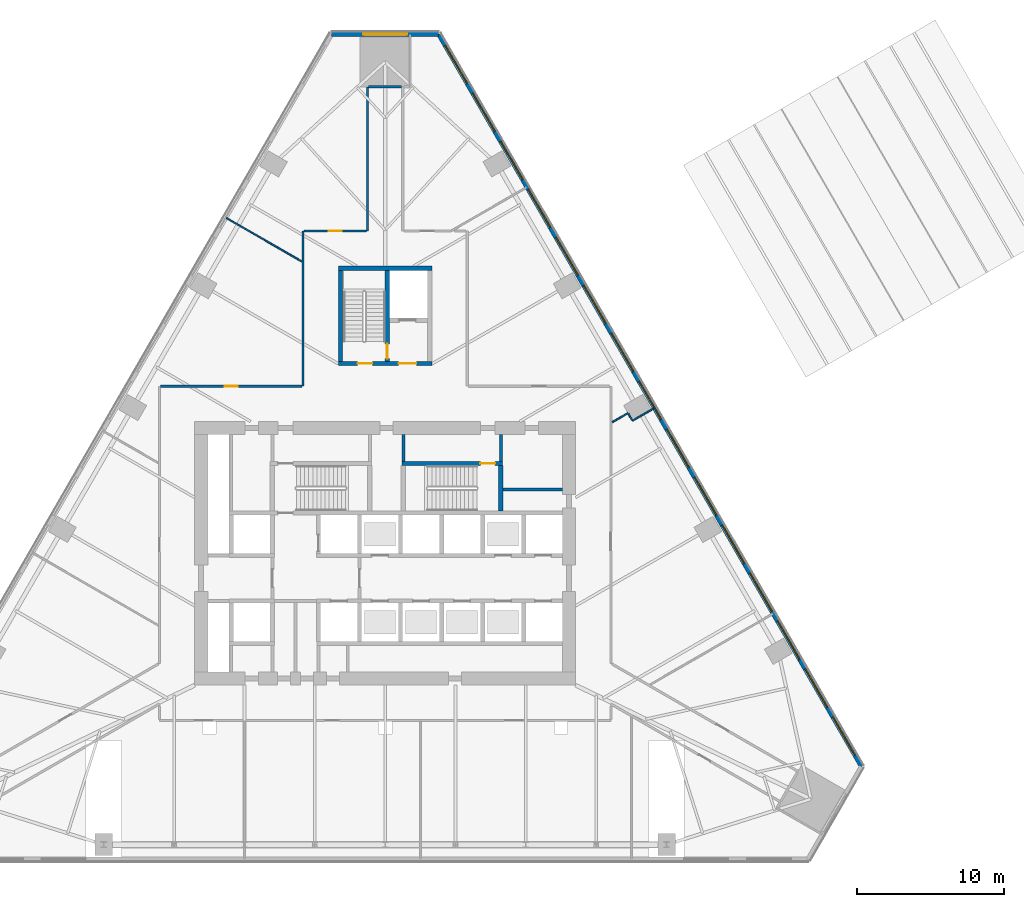
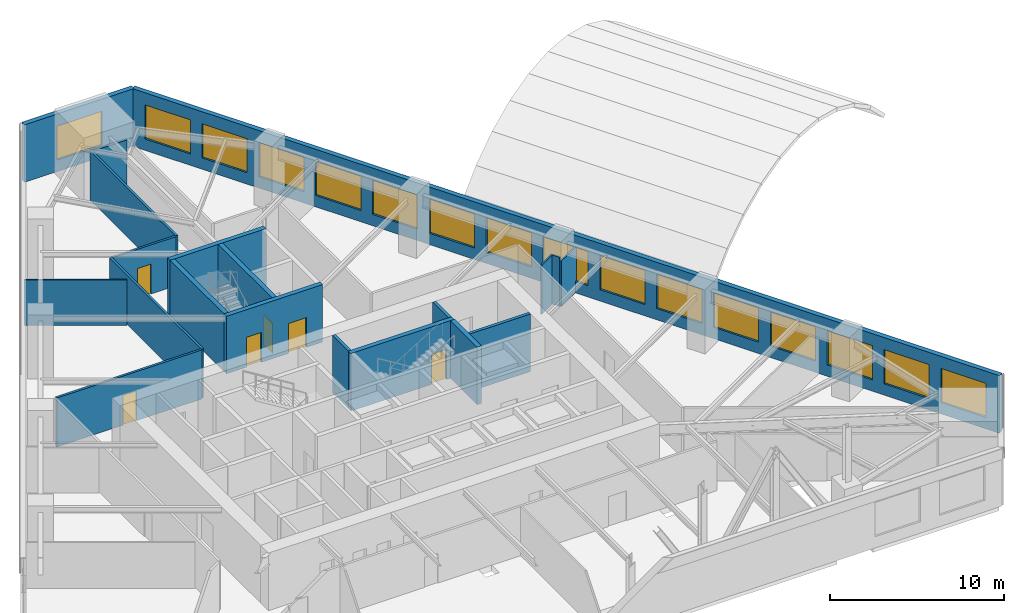
# One storey, part 8 of 11: 20 walls, 16 windows, 6 doors, 22 openings.
"""IFC4 building model written with IfcOpenShell, lengths in metres."""

import ifcopenshell
import ifcopenshell.guid

model = None  # the IFC model being written
_history = None  # IfcOwnerHistory: only IFC2X3 demands one
_inside = {}  # id of a spatial element -> (the spatial element, [elements in it])
_under = {}  # id of a project, library or spatial element -> (it, [spatial elements below it])
_declared = {}  # id of a project -> (the project, [libraries it declares])
_typed = {}  # id of a type object -> (the type object, [elements of that type])
_made_of = {}  # id of a material, layer set ... -> (it, [elements and type objects made of it])


def new_model(schema):
    """Start an empty IFC model of exactly this schema.

    Asked for "IFC4X3", IfcOpenShell would pick the latest addendum, in which some entities
    have other attributes; the version numbers below select the first issue.
    IFC2X3 requires an IfcOwnerHistory on every rooted entity: one is made here for all.
    """
    global model, _history
    if schema == "IFC4X3":
        model = ifcopenshell.file(schema_version=(4, 3, 0, 0))
    else:
        model = ifcopenshell.file(schema=schema)
    _inside.clear()
    _under.clear()
    _declared.clear()
    _typed.clear()
    _made_of.clear()
    _history = None
    if model.schema == "IFC2X3":
        org = make("IfcOrganization", Name="unknown")
        user = make(
            "IfcPersonAndOrganization",
            ThePerson=make("IfcPerson", FamilyName="unknown"),
            TheOrganization=org,
        )
        app = make(
            "IfcApplication",
            ApplicationDeveloper=org,
            Version="unknown",
            ApplicationFullName="unknown",
            ApplicationIdentifier="unknown",
        )
        _history = make(
            "IfcOwnerHistory",
            OwningUser=user,
            OwningApplication=app,
            ChangeAction="ADDED",
            CreationDate=0,
        )
    return model


def make(cls, **values):
    """One entity of the class cls with the attributes given. An attribute that is None is left unset."""
    return model.create_entity(
        cls, **{name: value for name, value in values.items() if value is not None}
    )


def rooted(cls, **values):
    """An entity with a GlobalId (a new one), such as an element, a storey or a relation."""
    return make(cls, GlobalId=ifcopenshell.guid.new(), OwnerHistory=_history, **values)


def si_unit(unit_type, name, prefix=None):
    """IfcSIUnit, for example si_unit("LENGTHUNIT", "METRE", prefix="MILLI")."""
    return make("IfcSIUnit", UnitType=unit_type, Prefix=prefix, Name=name)


def assignment(units):
    """IfcUnitAssignment: the units of a project."""
    return None if units is None else make("IfcUnitAssignment", Units=units)


def point(xyz):
    """IfcCartesianPoint."""
    return None if xyz is None else make("IfcCartesianPoint", Coordinates=xyz)


def direction(xyz):
    """IfcDirection."""
    return None if xyz is None else make("IfcDirection", DirectionRatios=xyz)


def frame(location, z_axis=None, x_axis=None):
    """IfcAxis2Placement3D, a coordinate frame: its origin and axes. An axis left out is left unset."""
    return make(
        "IfcAxis2Placement3D",
        Location=point(location),
        Axis=direction(z_axis),
        RefDirection=direction(x_axis),
    )


def frame_2d(location, x_axis=None):
    """IfcAxis2Placement2D, a coordinate frame in the plane: its origin and x axis."""
    return make(
        "IfcAxis2Placement2D", Location=point(location), RefDirection=direction(x_axis)
    )


def origin():
    """The frame at (0, 0, 0) with its axes left unset."""
    return frame((0.0, 0.0, 0.0))


def place(relative_to, where):
    """IfcLocalPlacement: puts the frame where relative to a parent placement (None: the world)."""
    return make(
        "IfcLocalPlacement", PlacementRelTo=relative_to, RelativePlacement=where
    )


def context(
    kind, dimensions, precision=None, world=None, true_north=None, identifier=None
):
    """IfcGeometricRepresentationContext, for example the 3D "Model" context."""
    return make(
        "IfcGeometricRepresentationContext",
        ContextIdentifier=identifier,
        ContextType=kind,
        CoordinateSpaceDimension=dimensions,
        Precision=precision,
        WorldCoordinateSystem=world,
        TrueNorth=true_north,
    )


def subcontext(parent, identifier, kind, view, scale=None):
    """IfcGeometricRepresentationSubContext, for example "Body" below "Model"."""
    return make(
        "IfcGeometricRepresentationSubContext",
        ContextIdentifier=identifier,
        ContextType=kind,
        ParentContext=parent,
        TargetScale=scale,
        TargetView=view,
    )


def project(units=None, contexts=None):
    """IfcProject with its units and contexts."""
    return rooted(
        "IfcProject",
        Name="project",
        RepresentationContexts=contexts,
        UnitsInContext=assignment(units),
    )


def spatial(cls, under=None, at=None, **own):
    """A site, building, storey or space (cls), placed at a placement, below another one or the project."""
    s = rooted(cls, ObjectPlacement=at, **own)
    if under is not None:
        _under.setdefault(under.id(), (under, []))[1].append(s)
    return s


def profile(cls, at=None, kind="AREA", **sizes):
    """A parametric profile (cls). Its sizes go by their IFC names, for example OverallWidth=200.0."""
    return make(cls, ProfileType=kind, Position=at, **sizes)


def rectangle(**sizes):
    """IfcRectangleProfileDef."""
    return profile("IfcRectangleProfileDef", **sizes)


def extrude(swept, where, along, depth):
    """IfcExtrudedAreaSolid: the profile swept, set in the frame where, extruded along a direction by depth."""
    return make(
        "IfcExtrudedAreaSolid",
        SweptArea=swept,
        Position=where,
        ExtrudedDirection=direction(along),
        Depth=depth,
    )


def shape(context_of_items, identifier, shape_type, items):
    """IfcShapeRepresentation: the items that make up one representation, for example the "Body"."""
    return make(
        "IfcShapeRepresentation",
        ContextOfItems=context_of_items,
        RepresentationIdentifier=identifier,
        RepresentationType=shape_type,
        Items=items,
    )


def material(Name=None, Category=None):
    """IfcMaterial."""
    return make("IfcMaterial", Name=Name, Category=Category)


def layer(
    of_material, thickness, ventilated=None, Name=None, Category=None, Priority=None
):
    """IfcMaterialLayer: one layer of a wall or slab, of a material (None: an air gap)."""
    return make(
        "IfcMaterialLayer",
        Material=of_material,
        LayerThickness=thickness,
        IsVentilated=ventilated,
        Name=Name,
        Category=Category,
        Priority=Priority,
    )


def layer_set(layers, Name=None):
    """IfcMaterialLayerSet."""
    return make("IfcMaterialLayerSet", MaterialLayers=layers, LayerSetName=Name)


def made_of(thing, what):
    """Note that an element or type object is made of a material, layer set ...; save() writes the relation."""
    if what is not None:
        _made_of.setdefault(what.id(), (what, []))[1].append(thing)
    return thing


def type_object(cls, material=None, **own):
    """A type object (cls), such as IfcWallType, which elements share."""
    return made_of(rooted(cls, **own), material)


def element(
    cls,
    number,
    at=None,
    inside=None,
    cuts=None,
    type_object=None,
    material=None,
    context=None,
    identifier="Body",
    shape_type=None,
    held_by="IfcProductDefinitionShape",
    body=None,
    shapes=None,
    **own,
):
    """One element of the class cls, such as IfcWall. Its Tag is "e" and its number.

    at: its placement. inside: the storey or other place that contains it. cuts: it is an
    opening in that element (IfcRelVoidsElement). A single representation is given by context,
    identifier, shape_type and body (its items); several are given by shapes. held_by: the class
    of the entity that holds the representations. save() writes the other relations.
    """
    e = rooted(cls, Tag="e%d" % number, ObjectPlacement=at, **own)
    if body is not None:
        shapes = [shape(context, identifier, shape_type, body)]
    if shapes is not None:
        e.Representation = make(held_by, Representations=shapes)
    if inside is not None:
        _inside.setdefault(inside.id(), (inside, []))[1].append(e)
    if cuts is not None:
        rooted(
            "IfcRelVoidsElement", RelatingBuildingElement=cuts, RelatedOpeningElement=e
        )
    if type_object is not None:
        _typed.setdefault(type_object.id(), (type_object, []))[1].append(e)
    return made_of(e, material)


def fill(opening, filler):
    """IfcRelFillsElement: the door or window that sits in an opening."""
    return rooted(
        "IfcRelFillsElement",
        RelatingOpeningElement=opening,
        RelatedBuildingElement=filler,
    )


def aggregate(whole, parts):
    """IfcRelAggregates: a whole, such as a stair, and the parts it consists of."""
    return rooted("IfcRelAggregates", RelatingObject=whole, RelatedObjects=parts)


def save(model, path):
    """Write the relations noted so far, then the file.

    IfcRelAggregates (storeys below a building ...), IfcRelContainedInSpatialStructure (elements
    in a storey), IfcRelDefinesByType, IfcRelAssociatesMaterial and IfcRelDeclares: one each for
    every whole, place, type object, material and project.
    """
    for whole, parts in _under.values():
        aggregate(whole, parts)
    for where, things in _inside.values():
        rooted(
            "IfcRelContainedInSpatialStructure",
            RelatedElements=things,
            RelatingStructure=where,
        )
    for kind, things in _typed.values():
        rooted("IfcRelDefinesByType", RelatedObjects=things, RelatingType=kind)
    for what, things in _made_of.values():
        rooted("IfcRelAssociatesMaterial", RelatedObjects=things, RelatingMaterial=what)
    for by, libraries in _declared.values():
        rooted("IfcRelDeclares", RelatingContext=by, RelatedDefinitions=libraries)
    model.write(path)


model = new_model("IFC4")

# Units and contexts
model_context = context("Model", 3, precision=1e-05, world=origin(), true_north=direction((0.0, 1.0)))
body_context = subcontext(model_context, "Body", "Model", "MODEL_VIEW")
ifc_project = project(units=[si_unit("LENGTHUNIT", "METRE"), si_unit("AREAUNIT", "SQUARE_METRE"), si_unit("VOLUMEUNIT", "CUBIC_METRE"), si_unit("PLANEANGLEUNIT", "RADIAN"), si_unit("MASSUNIT", "GRAM", prefix="KILO")], contexts=[model_context])

# Site, building, storey
site_placement = place(None, origin())
site = spatial("IfcSite", under=ifc_project, at=site_placement, CompositionType="ELEMENT")
building_placement = place(site_placement, origin())
building = spatial("IfcBuilding", under=site, at=building_placement, Name="Firuza Gate Tower and Library", CompositionType="ELEMENT")
storey_placement = place(building_placement, frame((0.0, 0.0, 31.0)))
storey = spatial("IfcBuildingStorey", under=building, at=storey_placement, Name="L06", CompositionType="ELEMENT", Elevation=31.0)

# Walls
ifc_material_1 = material(Name="Plasterboard on steel studs", Category="steel")
ifc_layer_1 = layer(ifc_material_1, 0.199951171875)
ifc_layer_set_1 = layer_set([ifc_layer_1], Name="Core partition 200 EI 120")
wall_type_1 = type_object("IfcWallType", Name="Core partition 200 EI 120", PredefinedType="PARTITIONING", material=ifc_layer_set_1)
wall_1_placement = place(storey_placement, frame((83.050048828125, 79.35498046875, 0.0), z_axis=(0.0, 0.0, 1.0), x_axis=(1.0, 0.0, 0.0)))
element("IfcWall", 1, at=wall_1_placement, inside=storey, type_object=wall_type_1, Name="Core partition L06 4", PredefinedType="PARTITIONING", context=body_context, shape_type="SweptSolid", body=[
    extrude(rectangle(XDim=4.050048828125, YDim=0.199951171875, at=frame_2d((2.02490234375, 0.0))), origin(), (0.0, 0.0, 1.0), 4.050048828125),
])
for number, where, z_axis, x_axis, name in (
    (2, (76.239990234375, 81.280029296875, 0.0), (0.0, 0.0, 1.0), (0.0, 1.0, 0.0), "Core partition L06 15"),
    (3, (82.89990234375, 81.280029296875, 0.0), (0.0, 0.0, 1.0), (0.0, 1.0, 0.0), "Core partition L06 16"),
):
    element("IfcWall", number, at=place(storey_placement, frame(where, z_axis=z_axis, x_axis=x_axis)), inside=storey, type_object=wall_type_1, Name=name, PredefinedType="PARTITIONING", context=body_context, shape_type="SweptSolid", body=[
        extrude(rectangle(XDim=1.820068359375, YDim=0.199951171875, at=frame_2d((0.91015625, 0.0))), origin(), (0.0, 0.0, 1.0), 4.050048828125),
    ])

# Wall, opening, door
ifc_material_2 = material(Name="Concrete C80/95", Category="concrete")
ifc_layer_2 = layer(ifc_material_2, 0.300048828125)
ifc_layer_set_2 = layer_set([ifc_layer_2], Name="Core wall 300 C80/95")
wall_type_2 = type_object("IfcWallType", Name="Core wall 300 C80/95", PredefinedType="SHEAR", material=ifc_layer_set_2)
wall_2_placement = place(storey_placement, frame((76.139892578125, 81.1298828125, 0.0), z_axis=(0.0, 0.0, 1.0), x_axis=(1.0, 0.0, 0.0)))
wall_2 = element("IfcWall", 4, at=wall_2_placement, inside=storey, type_object=wall_type_2, Name="Core wall L06 29", PredefinedType="SHEAR", context=body_context, shape_type="SweptSolid", body=[
    extrude(rectangle(XDim=6.860107421875, YDim=0.300048828125, at=frame_2d((3.43017578125, 0.0))), origin(), (0.0, 0.0, 1.0), 4.050048828125),
])
opening_1_placement = place(wall_2_placement, frame((5.364990234375, 0.0, 0.0)))
opening_1 = element("IfcOpeningElement", 5, at=opening_1_placement, cuts=wall_2, Name="Opening L06-K15", PredefinedType="OPENING", context=body_context, shape_type="SweptSolid", body=[
    extrude(rectangle(XDim=1.0, YDim=2.10009765625, at=frame_2d((0.5, 1.050048828125))), frame((0.0, 0.16015625, 0.0), z_axis=(0.0, -1.0, 0.0), x_axis=(1.0, 0.0, 0.0)), (0.0, 0.0, 1.0), 0.320068359375),
])
ifc_material_3 = material(Name="Steel", Category="steel")
door_type_1 = type_object("IfcDoorType", Name="Fire door 1000x2100 FD90", OperationType="NOTDEFINED", PredefinedType="DOOR", material=ifc_material_3)
door_1_placement = place(opening_1_placement, origin())
door_1 = element("IfcDoor", 6, at=door_1_placement, inside=storey, type_object=door_type_1, Name="Door L06-K15", OperationType="SINGLE_SWING_RIGHT", OverallHeight=2.10009765625, OverallWidth=1.0, PredefinedType="DOOR", context=body_context, shape_type="SweptSolid", body=[
    extrude(rectangle(XDim=1.0, YDim=2.10009765625, at=frame_2d((0.5, 1.050048828125))), frame((0.0, 0.02490234375, 0.0), z_axis=(0.0, -1.0, 0.0), x_axis=(1.0, 0.0, 0.0)), (0.0, 0.0, 1.0), 0.050048828125),
])
fill(opening_1, door_1)

# Wall
wall_3_placement = place(storey_placement, frame((82.89990234375, 77.89990234375, 0.0), z_axis=(0.0, 0.0, 1.0), x_axis=(0.0, 1.0, 0.0)))
element("IfcWall", 7, at=wall_3_placement, inside=storey, type_object=wall_type_2, Name="Core wall L06 33", PredefinedType="SHEAR", context=body_context, shape_type="SweptSolid", body=[
    extrude(rectangle(XDim=3.080078125, YDim=0.300048828125, at=frame_2d((1.5400390625, 0.0))), origin(), (0.0, 0.0, 1.0), 4.050048828125),
])

# Wall, openings, doors
wall_4_placement = place(storey_placement, frame((71.800048828125, 87.949951171875, 0.0), z_axis=(0.0, 0.0, 1.0), x_axis=(1.0, 0.0, 0.0)))
wall_4 = element("IfcWall", 8, at=wall_4_placement, inside=storey, type_object=wall_type_2, Name="Core wall L06 34", PredefinedType="SHEAR", context=body_context, shape_type="SweptSolid", body=[
    extrude(rectangle(XDim=6.39990234375, YDim=0.300048828125, at=frame_2d((3.199951171875, 0.0))), origin(), (0.0, 0.0, 1.0), 4.050048828125),
])
opening_2_placement = place(wall_4_placement, frame((1.324951171875, 0.0, 0.0)))
opening_2 = element("IfcOpeningElement", 9, at=opening_2_placement, cuts=wall_4, Name="Opening L06-K17", PredefinedType="OPENING", context=body_context, shape_type="SweptSolid", body=[
    extrude(rectangle(XDim=1.0, YDim=2.10009765625, at=frame_2d((0.5, 1.050048828125))), frame((0.0, 0.16015625, 0.0), z_axis=(0.0, -1.0, 0.0), x_axis=(1.0, 0.0, 0.0)), (0.0, 0.0, 1.0), 0.320068359375),
])
opening_3_placement = place(wall_4_placement, frame((4.125, 0.0, 0.0)))
opening_3 = element("IfcOpeningElement", 10, at=opening_3_placement, cuts=wall_4, Name="Opening L06-K19", PredefinedType="OPENING", context=body_context, shape_type="SweptSolid", body=[
    extrude(rectangle(XDim=1.199951171875, YDim=2.10009765625, at=frame_2d((0.60009765625, 1.050048828125))), frame((0.0, 0.16015625, 0.0), z_axis=(0.0, -1.0, 0.0), x_axis=(1.0, 0.0, 0.0)), (0.0, 0.0, 1.0), 0.320068359375),
])
door_2_placement = place(opening_2_placement, origin())
door_2 = element("IfcDoor", 11, at=door_2_placement, inside=storey, type_object=door_type_1, Name="Door L06-K17", OperationType="SINGLE_SWING_RIGHT", OverallHeight=2.10009765625, OverallWidth=1.0, PredefinedType="DOOR", context=body_context, shape_type="SweptSolid", body=[
    extrude(rectangle(XDim=1.0, YDim=2.10009765625, at=frame_2d((0.5, 1.050048828125))), frame((0.0, 0.02490234375, 0.0), z_axis=(0.0, -1.0, 0.0), x_axis=(1.0, 0.0, 0.0)), (0.0, 0.0, 1.0), 0.050048828125),
])
fill(opening_2, door_2)
ifc_material_4 = material(Name="Steel", Category="steel")
door_type_2 = type_object("IfcDoorType", Name="Fire door 1200x2100 FD30S", OperationType="NOTDEFINED", PredefinedType="DOOR", material=ifc_material_4)
door_3_placement = place(opening_3_placement, origin())
door_3 = element("IfcDoor", 12, at=door_3_placement, inside=storey, type_object=door_type_2, Name="Door L06-K19", OperationType="SINGLE_SWING_RIGHT", OverallHeight=2.10009765625, OverallWidth=1.199951171875, PredefinedType="DOOR", context=body_context, shape_type="SweptSolid", body=[
    extrude(rectangle(XDim=1.199951171875, YDim=2.10009765625, at=frame_2d((0.60009765625, 1.050048828125))), frame((0.0, 0.02490234375, 0.0), z_axis=(0.0, -1.0, 0.0), x_axis=(1.0, 0.0, 0.0)), (0.0, 0.0, 1.0), 0.050048828125),
])
fill(opening_3, door_3)

# Walls
wall_5_placement = place(storey_placement, frame((71.800048828125, 94.449951171875, 0.0), z_axis=(0.0, 0.0, 1.0), x_axis=(1.0, 0.0, 0.0)))
element("IfcWall", 13, at=wall_5_placement, inside=storey, type_object=wall_type_2, Name="Core wall L06 35", PredefinedType="SHEAR", context=body_context, shape_type="SweptSolid", body=[
    extrude(rectangle(XDim=6.39990234375, YDim=0.300048828125, at=frame_2d((3.199951171875, 0.0))), origin(), (0.0, 0.0, 1.0), 4.050048828125),
])
wall_6_placement = place(storey_placement, frame((71.949951171875, 88.10009765625, 0.0), z_axis=(0.0, 0.0, 1.0), x_axis=(0.0, 1.0, 0.0)))
element("IfcWall", 14, at=wall_6_placement, inside=storey, type_object=wall_type_2, Name="Core wall L06 36", PredefinedType="SHEAR", context=body_context, shape_type="SweptSolid", body=[
    extrude(rectangle(XDim=6.199951171875, YDim=0.300048828125, at=frame_2d((3.10009765625, 0.0))), origin(), (0.0, 0.0, 1.0), 4.050048828125),
])

# Wall, opening, door
wall_7_placement = place(storey_placement, frame((75.14990234375, 88.10009765625, 0.0), z_axis=(0.0, 0.0, 1.0), x_axis=(0.0, 1.0, 0.0)))
wall_7 = element("IfcWall", 15, at=wall_7_placement, inside=storey, type_object=wall_type_2, Name="Core wall L06 39", PredefinedType="SHEAR", context=body_context, shape_type="SweptSolid", body=[
    extrude(rectangle(XDim=6.199951171875, YDim=0.300048828125, at=frame_2d((3.10009765625, 0.0))), origin(), (0.0, 0.0, 1.0), 4.050048828125),
])
opening_4_placement = place(wall_7_placement, frame((0.18505859375, 0.0, 0.0)))
opening_4 = element("IfcOpeningElement", 16, at=opening_4_placement, cuts=wall_7, Name="Opening L06-K18", PredefinedType="OPENING", context=body_context, shape_type="SweptSolid", body=[
    extrude(rectangle(XDim=1.0, YDim=2.10009765625, at=frame_2d((0.5, 1.050048828125))), frame((0.0, 0.16015625, 0.0), z_axis=(0.0, -1.0, 0.0), x_axis=(1.0, 0.0, 0.0)), (0.0, 0.0, 1.0), 0.320068359375),
])
door_4_placement = place(opening_4_placement, origin())
door_4 = element("IfcDoor", 17, at=door_4_placement, inside=storey, type_object=door_type_1, Name="Door L06-K18", OperationType="SINGLE_SWING_LEFT", OverallHeight=2.10009765625, OverallWidth=1.0, PredefinedType="DOOR", context=body_context, shape_type="SweptSolid", body=[
    extrude(rectangle(XDim=1.0, YDim=2.10009765625, at=frame_2d((0.5, 1.050048828125))), frame((0.0, 0.02490234375, 0.0), z_axis=(0.0, -1.0, 0.0), x_axis=(1.0, 0.0, 0.0)), (0.0, 0.0, 1.0), 0.050048828125),
])
fill(opening_4, door_4)

ifc_material_5 = material(Name="Gypsum board partition")
ifc_layer_3 = layer(ifc_material_5, 0.14990234375)
ifc_layer_set_3 = layer_set([ifc_layer_3], Name="Corridor wall 150 double board on steel studs")
wall_type_3 = type_object("IfcWallType", Name="Corridor wall 150 double board on steel studs", PredefinedType="PARTITIONING", material=ifc_layer_set_3)
wall_8_placement = place(storey_placement, frame((59.675537109375, 86.39990234375, 0.0), z_axis=(0.0, 0.0, 1.0), x_axis=(1.0, 0.0, 0.0)))
wall_8 = element("IfcWall", 18, at=wall_8_placement, inside=storey, type_object=wall_type_3, Name="f:L06:w001", PredefinedType="PARTITIONING", context=body_context, shape_type="SweptSolid", body=[
    extrude(rectangle(XDim=9.6494140625, YDim=0.14990234375, at=frame_2d((4.82470703125, 0.0))), origin(), (0.0, 0.0, 1.0), 3.449951171875),
])
opening_5_placement = place(wall_8_placement, frame((4.374755859375, 0.0, 0.0)))
opening_5 = element("IfcOpeningElement", 19, at=opening_5_placement, cuts=wall_8, Name="Opening L06-04", PredefinedType="OPENING", context=body_context, shape_type="SweptSolid", body=[
    extrude(rectangle(XDim=0.89990234375, YDim=2.10009765625, at=frame_2d((0.449951171875, 1.050048828125))), frame((0.0, 0.0849609375, 0.0), z_axis=(0.0, -1.0, 0.0), x_axis=(1.0, 0.0, 0.0)), (0.0, 0.0, 1.0), 0.169921875),
])
ifc_material_6 = material(Name="Steel door and timber leaf", Category="steel")
door_type_3 = type_object("IfcDoorType", Name="Fire door 900 x 2100 steel frame, timber leaf", OperationType="NOTDEFINED", PredefinedType="DOOR", material=ifc_material_6)
door_5_placement = place(opening_5_placement, origin())
door_5 = element("IfcDoor", 20, at=door_5_placement, inside=storey, type_object=door_type_3, Name="f:L06:d004", OperationType="SINGLE_SWING_RIGHT", OverallHeight=2.10009765625, OverallWidth=0.89990234375, PredefinedType="DOOR", context=body_context, shape_type="SweptSolid", body=[
    extrude(rectangle(XDim=0.89990234375, YDim=2.10009765625, at=frame_2d((0.449951171875, 1.050048828125))), frame((0.0, 0.02490234375, 0.0), z_axis=(0.0, -1.0, 0.0), x_axis=(1.0, 0.0, 0.0)), (0.0, 0.0, 1.0), 0.050048828125),
])
fill(opening_5, door_5)

wall_9_placement = place(storey_placement, frame((69.4755859375, 97.0, 0.0), z_axis=(0.0, 0.0, 1.0), x_axis=(1.0, 0.0, 0.0)))
wall_9 = element("IfcWall", 21, at=wall_9_placement, inside=storey, type_object=wall_type_3, Name="f:L06:w003", PredefinedType="PARTITIONING", context=body_context, shape_type="SweptSolid", body=[
    extrude(rectangle(XDim=4.24951171875, YDim=0.14990234375, at=frame_2d((2.124755859375, 0.0))), origin(), (0.0, 0.0, 1.0), 3.449951171875),
])
opening_6_placement = place(wall_9_placement, frame((1.6748046875, 0.0, 0.0)))
opening_6 = element("IfcOpeningElement", 22, at=opening_6_placement, cuts=wall_9, Name="Opening L06-06", PredefinedType="OPENING", context=body_context, shape_type="SweptSolid", body=[
    extrude(rectangle(XDim=0.89990234375, YDim=2.10009765625, at=frame_2d((0.449951171875, 1.050048828125))), frame((0.0, 0.0849609375, 0.0), z_axis=(0.0, -1.0, 0.0), x_axis=(1.0, 0.0, 0.0)), (0.0, 0.0, 1.0), 0.169921875),
])
door_6_placement = place(opening_6_placement, origin())
door_6 = element("IfcDoor", 23, at=door_6_placement, inside=storey, type_object=door_type_3, Name="f:L06:d006", OperationType="SINGLE_SWING_LEFT", OverallHeight=2.10009765625, OverallWidth=0.89990234375, PredefinedType="DOOR", context=body_context, shape_type="SweptSolid", body=[
    extrude(rectangle(XDim=0.89990234375, YDim=2.10009765625, at=frame_2d((0.449951171875, 1.050048828125))), frame((0.0, 0.02490234375, 0.0), z_axis=(0.0, -1.0, 0.0), x_axis=(1.0, 0.0, 0.0)), (0.0, 0.0, 1.0), 0.050048828125),
])
fill(opening_6, door_6)

# Walls
wall_10_placement = place(storey_placement, frame((73.87548828125, 106.833984375, 0.0), z_axis=(0.0, 0.0, 1.0), x_axis=(1.0, 0.0, 0.0)))
element("IfcWall", 24, at=wall_10_placement, inside=storey, type_object=wall_type_3, Name="f:L06:w005", PredefinedType="PARTITIONING", context=body_context, shape_type="SweptSolid", body=[
    extrude(rectangle(XDim=2.24951171875, YDim=0.14990234375, at=frame_2d((1.124755859375, 0.0))), origin(), (0.0, 0.0, 1.0), 3.447021484375),
])
wall_11_placement = place(storey_placement, frame((73.800048828125, 97.0, 0.0), z_axis=(0.0, 0.0, 1.0), x_axis=(0.0, 1.0, 0.0)))
element("IfcWall", 25, at=wall_11_placement, inside=storey, type_object=wall_type_3, Name="f:L06:w021", PredefinedType="PARTITIONING", context=body_context, shape_type="SweptSolid", body=[
    extrude(rectangle(XDim=9.833251953125, YDim=0.14990234375, at=frame_2d((4.91650390625, 0.0))), origin(), (0.0, 0.0, 1.0), 3.449951171875),
])
wall_12_placement = place(storey_placement, frame((69.39990234375, 86.39990234375, 0.0), z_axis=(0.0, 0.0, 1.0), x_axis=(0.0, 1.0, 0.0)))
element("IfcWall", 26, at=wall_12_placement, inside=storey, type_object=wall_type_3, Name="f:L06:w022", PredefinedType="PARTITIONING", context=body_context, shape_type="SweptSolid", body=[
    extrude(rectangle(XDim=10.599609375, YDim=0.14990234375, at=frame_2d((5.2998046875, 0.0))), origin(), (0.0, 0.0, 1.0), 3.449951171875),
])
ifc_material_7 = material(Name="Gypsum board partition")
ifc_layer_4 = layer(ifc_material_7, 0.10009765625)
ifc_layer_set_4 = layer_set([ifc_layer_4], Name="Partition 100 gypsum board on steel studs")
wall_type_4 = type_object("IfcWallType", Name="Partition 100 gypsum board on steel studs", PredefinedType="PARTITIONING", material=ifc_layer_set_4)
wall_13_placement = place(storey_placement, frame((91.871337890625, 84.048095703125, 0.0), z_axis=(0.0, 0.0, 1.0), x_axis=(0.866026058841, 0.499998865407, 0.0)))
element("IfcWall", 27, at=wall_13_placement, inside=storey, type_object=wall_type_4, Name="f:L06:w009", PredefinedType="PARTITIONING", context=body_context, shape_type="SweptSolid", body=[
    extrude(rectangle(XDim=1.70751953125, YDim=0.10009765625, at=frame_2d((0.853759765625, 0.0))), origin(), (0.0, 0.0, 1.0), 3.215087890625),
])
wall_14_placement = place(storey_placement, frame((90.5009765625, 83.94970703125, 0.0), z_axis=(0.0, 0.0, 1.0), x_axis=(0.866057204957, 0.499944914708, 0.0)))
element("IfcWall", 28, at=wall_14_placement, inside=storey, type_object=wall_type_4, Name="f:L06:w010", PredefinedType="PARTITIONING", context=body_context, shape_type="SweptSolid", body=[
    extrude(rectangle(XDim=1.235107421875, YDim=0.10009765625, at=frame_2d((0.61767578125, 0.0))), origin(), (0.0, 0.0, 1.0), 3.449951171875),
])
wall_15_placement = place(storey_placement, frame((91.84619140625, 84.091796875, 0.0), z_axis=(0.0, 0.0, 1.0), x_axis=(-0.500244977835, 0.865883919559, 0.0)))
element("IfcWall", 29, at=wall_15_placement, inside=storey, type_object=wall_type_4, Name="f:L06:w026", PredefinedType="PARTITIONING", context=body_context, shape_type="SweptSolid", body=[
    extrude(rectangle(XDim=0.498779296875, YDim=0.10009765625, at=frame_2d((0.24951171875, 0.0))), origin(), (0.0, 0.0, 1.0), 3.449951171875),
])
wall_16_placement = place(storey_placement, frame((69.299072265625, 94.919189453125, 0.0), z_axis=(0.0, 0.0, 1.0), x_axis=(-0.866023528471, 0.500003248124, 0.0)))
element("IfcWall", 30, at=wall_16_placement, inside=storey, type_object=wall_type_4, Name="f:L06:w028", PredefinedType="PARTITIONING", context=body_context, shape_type="SweptSolid", body=[
    extrude(rectangle(XDim=5.94580078125, YDim=0.10009765625, at=frame_2d((2.972900390625, 0.0))), origin(), (0.0, 0.0, 1.0), 3.215087890625),
])

# Wall, openings, windows
ifc_material_8 = material(Name="Concrete C40/50", Category="concrete")
ifc_layer_5 = layer(ifc_material_8, 0.300048828125)
ifc_layer_set_5 = layer_set([ifc_layer_5], Name="Plant louvre wall 300")
wall_type_5 = type_object("IfcWallType", Name="Plant louvre wall 300", PredefinedType="SOLIDWALL", material=ifc_layer_set_5)
wall_17_placement = place(storey_placement, frame((107.50390625, 60.45068359375, 0.0), z_axis=(0.0, 0.0, 1.0), x_axis=(-0.500000550228, 0.86602508611, 0.0)))
wall_17 = element("IfcWall", 31, at=wall_17_placement, inside=storey, type_object=wall_type_5, Name="Plant louvre wall 3", PredefinedType="SOLIDWALL", context=body_context, shape_type="SweptSolid", body=[
    extrude(rectangle(XDim=57.7041015625, YDim=0.300048828125, at=frame_2d((28.85205078125, 0.0))), origin(), (0.0, 0.0, 1.0), 4.050048828125),
])
opening_7_placement = place(wall_17_placement, frame((0.89013671875, 0.0, 0.800048828125)))
opening_7 = element("IfcOpeningElement", 32, at=opening_7_placement, cuts=wall_17, Name="Opening WD3-006", PredefinedType="OPENING", context=body_context, shape_type="SweptSolid", body=[
    extrude(rectangle(XDim=3.0, YDim=2.39990234375, at=frame_2d((1.5, 1.199951171875))), frame((0.0, 0.16015625, 0.0), z_axis=(0.0, -1.0, 0.0), x_axis=(1.0, 0.0, 0.0)), (0.0, 0.0, 1.0), 0.320068359375),
])
opening_8_placement = place(wall_17_placement, frame((4.67041015625, 0.0, 0.800048828125)))
opening_8 = element("IfcOpeningElement", 33, at=opening_8_placement, cuts=wall_17, Name="Opening WD3-007", PredefinedType="OPENING", context=body_context, shape_type="SweptSolid", body=[
    extrude(rectangle(XDim=3.0, YDim=2.39990234375, at=frame_2d((1.5, 1.199951171875))), frame((0.0, 0.16015625, 0.0), z_axis=(0.0, -1.0, 0.0), x_axis=(1.0, 0.0, 0.0)), (0.0, 0.0, 1.0), 0.320068359375),
])
opening_9_placement = place(wall_17_placement, frame((8.45068359375, 0.0, 0.800048828125)))
opening_9 = element("IfcOpeningElement", 34, at=opening_9_placement, cuts=wall_17, Name="Opening WD3-008", PredefinedType="OPENING", context=body_context, shape_type="SweptSolid", body=[
    extrude(rectangle(XDim=3.0, YDim=2.39990234375, at=frame_2d((1.5, 1.199951171875))), frame((0.0, 0.16015625, 0.0), z_axis=(0.0, -1.0, 0.0), x_axis=(1.0, 0.0, 0.0)), (0.0, 0.0, 1.0), 0.320068359375),
])
opening_10_placement = place(wall_17_placement, frame((12.23095703125, 0.0, 0.800048828125)))
opening_10 = element("IfcOpeningElement", 35, at=opening_10_placement, cuts=wall_17, Name="Opening WD3-009", PredefinedType="OPENING", context=body_context, shape_type="SweptSolid", body=[
    extrude(rectangle(XDim=3.0, YDim=2.39990234375, at=frame_2d((1.5, 1.199951171875))), frame((0.0, 0.16015625, 0.0), z_axis=(0.0, -1.0, 0.0), x_axis=(1.0, 0.0, 0.0)), (0.0, 0.0, 1.0), 0.320068359375),
])
opening_11_placement = place(wall_17_placement, frame((16.01123046875, 0.0, 0.800048828125)))
opening_11 = element("IfcOpeningElement", 36, at=opening_11_placement, cuts=wall_17, Name="Opening WD3-010", PredefinedType="OPENING", context=body_context, shape_type="SweptSolid", body=[
    extrude(rectangle(XDim=3.0, YDim=2.39990234375, at=frame_2d((1.5, 1.199951171875))), frame((0.0, 0.16015625, 0.0), z_axis=(0.0, -1.0, 0.0), x_axis=(1.0, 0.0, 0.0)), (0.0, 0.0, 1.0), 0.320068359375),
])
opening_12_placement = place(wall_17_placement, frame((19.79150390625, 0.0, 0.800048828125)))
opening_12 = element("IfcOpeningElement", 37, at=opening_12_placement, cuts=wall_17, Name="Opening WD3-011", PredefinedType="OPENING", context=body_context, shape_type="SweptSolid", body=[
    extrude(rectangle(XDim=3.0, YDim=2.39990234375, at=frame_2d((1.5, 1.199951171875))), frame((0.0, 0.16015625, 0.0), z_axis=(0.0, -1.0, 0.0), x_axis=(1.0, 0.0, 0.0)), (0.0, 0.0, 1.0), 0.320068359375),
])
opening_13_placement = place(wall_17_placement, frame((23.57177734375, 0.0, 0.800048828125)))
opening_13 = element("IfcOpeningElement", 38, at=opening_13_placement, cuts=wall_17, Name="Opening WD3-012", PredefinedType="OPENING", context=body_context, shape_type="SweptSolid", body=[
    extrude(rectangle(XDim=3.0, YDim=2.39990234375, at=frame_2d((1.5, 1.199951171875))), frame((0.0, 0.16015625, 0.0), z_axis=(0.0, -1.0, 0.0), x_axis=(1.0, 0.0, 0.0)), (0.0, 0.0, 1.0), 0.320068359375),
])
opening_14_placement = place(wall_17_placement, frame((27.35205078125, 0.0, 0.800048828125)))
opening_14 = element("IfcOpeningElement", 39, at=opening_14_placement, cuts=wall_17, Name="Opening WD3-013", PredefinedType="OPENING", context=body_context, shape_type="SweptSolid", body=[
    extrude(rectangle(XDim=3.0, YDim=2.39990234375, at=frame_2d((1.5, 1.199951171875))), frame((0.0, 0.16015625, 0.0), z_axis=(0.0, -1.0, 0.0), x_axis=(1.0, 0.0, 0.0)), (0.0, 0.0, 1.0), 0.320068359375),
])
opening_15_placement = place(wall_17_placement, frame((31.13232421875, 0.0, 0.800048828125)))
opening_15 = element("IfcOpeningElement", 40, at=opening_15_placement, cuts=wall_17, Name="Opening WD3-014", PredefinedType="OPENING", context=body_context, shape_type="SweptSolid", body=[
    extrude(rectangle(XDim=3.0, YDim=2.39990234375, at=frame_2d((1.5, 1.199951171875))), frame((0.0, 0.16015625, 0.0), z_axis=(0.0, -1.0, 0.0), x_axis=(1.0, 0.0, 0.0)), (0.0, 0.0, 1.0), 0.320068359375),
])
opening_16_placement = place(wall_17_placement, frame((34.91259765625, 0.0, 0.800048828125)))
opening_16 = element("IfcOpeningElement", 41, at=opening_16_placement, cuts=wall_17, Name="Opening WD3-015", PredefinedType="OPENING", context=body_context, shape_type="SweptSolid", body=[
    extrude(rectangle(XDim=3.0, YDim=2.39990234375, at=frame_2d((1.5, 1.199951171875))), frame((0.0, 0.16015625, 0.0), z_axis=(0.0, -1.0, 0.0), x_axis=(1.0, 0.0, 0.0)), (0.0, 0.0, 1.0), 0.320068359375),
])
opening_17_placement = place(wall_17_placement, frame((38.692626953125, 0.0, 0.800048828125)))
opening_17 = element("IfcOpeningElement", 42, at=opening_17_placement, cuts=wall_17, Name="Opening WD3-016", PredefinedType="OPENING", context=body_context, shape_type="SweptSolid", body=[
    extrude(rectangle(XDim=3.0, YDim=2.39990234375, at=frame_2d((1.5, 1.199951171875))), frame((0.0, 0.16015625, 0.0), z_axis=(0.0, -1.0, 0.0), x_axis=(1.0, 0.0, 0.0)), (0.0, 0.0, 1.0), 0.320068359375),
])
opening_18_placement = place(wall_17_placement, frame((42.472900390625, 0.0, 0.800048828125)))
opening_18 = element("IfcOpeningElement", 43, at=opening_18_placement, cuts=wall_17, Name="Opening WD3-017", PredefinedType="OPENING", context=body_context, shape_type="SweptSolid", body=[
    extrude(rectangle(XDim=3.0, YDim=2.39990234375, at=frame_2d((1.5, 1.199951171875))), frame((0.0, 0.16015625, 0.0), z_axis=(0.0, -1.0, 0.0), x_axis=(1.0, 0.0, 0.0)), (0.0, 0.0, 1.0), 0.320068359375),
])
opening_19_placement = place(wall_17_placement, frame((46.253173828125, 0.0, 0.800048828125)))
opening_19 = element("IfcOpeningElement", 44, at=opening_19_placement, cuts=wall_17, Name="Opening WD3-018", PredefinedType="OPENING", context=body_context, shape_type="SweptSolid", body=[
    extrude(rectangle(XDim=3.0, YDim=2.39990234375, at=frame_2d((1.5, 1.199951171875))), frame((0.0, 0.16015625, 0.0), z_axis=(0.0, -1.0, 0.0), x_axis=(1.0, 0.0, 0.0)), (0.0, 0.0, 1.0), 0.320068359375),
])
opening_20_placement = place(wall_17_placement, frame((50.033447265625, 0.0, 0.800048828125)))
opening_20 = element("IfcOpeningElement", 45, at=opening_20_placement, cuts=wall_17, Name="Opening WD3-019", PredefinedType="OPENING", context=body_context, shape_type="SweptSolid", body=[
    extrude(rectangle(XDim=3.0, YDim=2.39990234375, at=frame_2d((1.5, 1.199951171875))), frame((0.0, 0.16015625, 0.0), z_axis=(0.0, -1.0, 0.0), x_axis=(1.0, 0.0, 0.0)), (0.0, 0.0, 1.0), 0.320068359375),
])
opening_21_placement = place(wall_17_placement, frame((53.813720703125, 0.0, 0.800048828125)))
opening_21 = element("IfcOpeningElement", 46, at=opening_21_placement, cuts=wall_17, Name="Opening WD3-020", PredefinedType="OPENING", context=body_context, shape_type="SweptSolid", body=[
    extrude(rectangle(XDim=3.0, YDim=2.39990234375, at=frame_2d((1.5, 1.199951171875))), frame((0.0, 0.16015625, 0.0), z_axis=(0.0, -1.0, 0.0), x_axis=(1.0, 0.0, 0.0)), (0.0, 0.0, 1.0), 0.320068359375),
])
ifc_material_9 = material(Name="Aluminium 6063-T6", Category="aluminium")
window_type = type_object("IfcWindowType", Name="Plant louvre 3000x2400", PartitioningType="SINGLE_PANEL", PredefinedType="WINDOW", material=ifc_material_9)
window_1_placement = place(opening_7_placement, origin())
window_1 = element("IfcWindow", 47, at=window_1_placement, inside=storey, type_object=window_type, Name="e:pwall:L06:2/L0", OverallHeight=2.39990234375, OverallWidth=3.0, PartitioningType="SINGLE_PANEL", PredefinedType="WINDOW", context=body_context, shape_type="SweptSolid", body=[
    extrude(rectangle(XDim=3.0, YDim=2.39990234375, at=frame_2d((1.5, 1.199951171875))), frame((0.0, 0.030029296875, 0.0), z_axis=(0.0, -1.0, 0.0), x_axis=(1.0, 0.0, 0.0)), (0.0, 0.0, 1.0), 0.06005859375),
])
fill(opening_7, window_1)
window_2_placement = place(opening_8_placement, origin())
window_2 = element("IfcWindow", 48, at=window_2_placement, inside=storey, type_object=window_type, Name="e:pwall:L06:2/L1", OverallHeight=2.39990234375, OverallWidth=3.0, PartitioningType="SINGLE_PANEL", PredefinedType="WINDOW", context=body_context, shape_type="SweptSolid", body=[
    extrude(rectangle(XDim=3.0, YDim=2.39990234375, at=frame_2d((1.5, 1.199951171875))), frame((0.0, 0.030029296875, 0.0), z_axis=(0.0, -1.0, 0.0), x_axis=(1.0, 0.0, 0.0)), (0.0, 0.0, 1.0), 0.06005859375),
])
fill(opening_8, window_2)
window_3_placement = place(opening_9_placement, origin())
window_3 = element("IfcWindow", 49, at=window_3_placement, inside=storey, type_object=window_type, Name="e:pwall:L06:2/L2", OverallHeight=2.39990234375, OverallWidth=3.0, PartitioningType="SINGLE_PANEL", PredefinedType="WINDOW", context=body_context, shape_type="SweptSolid", body=[
    extrude(rectangle(XDim=3.0, YDim=2.39990234375, at=frame_2d((1.5, 1.199951171875))), frame((0.0, 0.030029296875, 0.0), z_axis=(0.0, -1.0, 0.0), x_axis=(1.0, 0.0, 0.0)), (0.0, 0.0, 1.0), 0.06005859375),
])
fill(opening_9, window_3)
window_4_placement = place(opening_10_placement, origin())
window_4 = element("IfcWindow", 50, at=window_4_placement, inside=storey, type_object=window_type, Name="e:pwall:L06:2/L3", OverallHeight=2.39990234375, OverallWidth=3.0, PartitioningType="SINGLE_PANEL", PredefinedType="WINDOW", context=body_context, shape_type="SweptSolid", body=[
    extrude(rectangle(XDim=3.0, YDim=2.39990234375, at=frame_2d((1.5, 1.199951171875))), frame((0.0, 0.030029296875, 0.0), z_axis=(0.0, -1.0, 0.0), x_axis=(1.0, 0.0, 0.0)), (0.0, 0.0, 1.0), 0.06005859375),
])
fill(opening_10, window_4)
window_5_placement = place(opening_11_placement, origin())
window_5 = element("IfcWindow", 51, at=window_5_placement, inside=storey, type_object=window_type, Name="e:pwall:L06:2/L4", OverallHeight=2.39990234375, OverallWidth=3.0, PartitioningType="SINGLE_PANEL", PredefinedType="WINDOW", context=body_context, shape_type="SweptSolid", body=[
    extrude(rectangle(XDim=3.0, YDim=2.39990234375, at=frame_2d((1.5, 1.199951171875))), frame((0.0, 0.030029296875, 0.0), z_axis=(0.0, -1.0, 0.0), x_axis=(1.0, 0.0, 0.0)), (0.0, 0.0, 1.0), 0.06005859375),
])
fill(opening_11, window_5)
window_6_placement = place(opening_12_placement, origin())
window_6 = element("IfcWindow", 52, at=window_6_placement, inside=storey, type_object=window_type, Name="e:pwall:L06:2/L5", OverallHeight=2.39990234375, OverallWidth=3.0, PartitioningType="SINGLE_PANEL", PredefinedType="WINDOW", context=body_context, shape_type="SweptSolid", body=[
    extrude(rectangle(XDim=3.0, YDim=2.39990234375, at=frame_2d((1.5, 1.199951171875))), frame((0.0, 0.030029296875, 0.0), z_axis=(0.0, -1.0, 0.0), x_axis=(1.0, 0.0, 0.0)), (0.0, 0.0, 1.0), 0.06005859375),
])
fill(opening_12, window_6)
window_7_placement = place(opening_13_placement, origin())
window_7 = element("IfcWindow", 53, at=window_7_placement, inside=storey, type_object=window_type, Name="e:pwall:L06:2/L6", OverallHeight=2.39990234375, OverallWidth=3.0, PartitioningType="SINGLE_PANEL", PredefinedType="WINDOW", context=body_context, shape_type="SweptSolid", body=[
    extrude(rectangle(XDim=3.0, YDim=2.39990234375, at=frame_2d((1.5, 1.199951171875))), frame((0.0, 0.030029296875, 0.0), z_axis=(0.0, -1.0, 0.0), x_axis=(1.0, 0.0, 0.0)), (0.0, 0.0, 1.0), 0.06005859375),
])
fill(opening_13, window_7)
window_8_placement = place(opening_14_placement, origin())
window_8 = element("IfcWindow", 54, at=window_8_placement, inside=storey, type_object=window_type, Name="e:pwall:L06:2/L7", OverallHeight=2.39990234375, OverallWidth=3.0, PartitioningType="SINGLE_PANEL", PredefinedType="WINDOW", context=body_context, shape_type="SweptSolid", body=[
    extrude(rectangle(XDim=3.0, YDim=2.39990234375, at=frame_2d((1.5, 1.199951171875))), frame((0.0, 0.030029296875, 0.0), z_axis=(0.0, -1.0, 0.0), x_axis=(1.0, 0.0, 0.0)), (0.0, 0.0, 1.0), 0.06005859375),
])
fill(opening_14, window_8)
window_9_placement = place(opening_15_placement, origin())
window_9 = element("IfcWindow", 55, at=window_9_placement, inside=storey, type_object=window_type, Name="e:pwall:L06:2/L8", OverallHeight=2.39990234375, OverallWidth=3.0, PartitioningType="SINGLE_PANEL", PredefinedType="WINDOW", context=body_context, shape_type="SweptSolid", body=[
    extrude(rectangle(XDim=3.0, YDim=2.39990234375, at=frame_2d((1.5, 1.199951171875))), frame((0.0, 0.030029296875, 0.0), z_axis=(0.0, -1.0, 0.0), x_axis=(1.0, 0.0, 0.0)), (0.0, 0.0, 1.0), 0.06005859375),
])
fill(opening_15, window_9)
window_10_placement = place(opening_16_placement, origin())
window_10 = element("IfcWindow", 56, at=window_10_placement, inside=storey, type_object=window_type, Name="e:pwall:L06:2/L9", OverallHeight=2.39990234375, OverallWidth=3.0, PartitioningType="SINGLE_PANEL", PredefinedType="WINDOW", context=body_context, shape_type="SweptSolid", body=[
    extrude(rectangle(XDim=3.0, YDim=2.39990234375, at=frame_2d((1.5, 1.199951171875))), frame((0.0, 0.030029296875, 0.0), z_axis=(0.0, -1.0, 0.0), x_axis=(1.0, 0.0, 0.0)), (0.0, 0.0, 1.0), 0.06005859375),
])
fill(opening_16, window_10)
window_11_placement = place(opening_17_placement, origin())
window_11 = element("IfcWindow", 57, at=window_11_placement, inside=storey, type_object=window_type, Name="e:pwall:L06:2/L10", OverallHeight=2.39990234375, OverallWidth=3.0, PartitioningType="SINGLE_PANEL", PredefinedType="WINDOW", context=body_context, shape_type="SweptSolid", body=[
    extrude(rectangle(XDim=3.0, YDim=2.39990234375, at=frame_2d((1.5, 1.199951171875))), frame((0.0, 0.030029296875, 0.0), z_axis=(0.0, -1.0, 0.0), x_axis=(1.0, 0.0, 0.0)), (0.0, 0.0, 1.0), 0.06005859375),
])
fill(opening_17, window_11)
window_12_placement = place(opening_18_placement, origin())
window_12 = element("IfcWindow", 58, at=window_12_placement, inside=storey, type_object=window_type, Name="e:pwall:L06:2/L11", OverallHeight=2.39990234375, OverallWidth=3.0, PartitioningType="SINGLE_PANEL", PredefinedType="WINDOW", context=body_context, shape_type="SweptSolid", body=[
    extrude(rectangle(XDim=3.0, YDim=2.39990234375, at=frame_2d((1.5, 1.199951171875))), frame((0.0, 0.030029296875, 0.0), z_axis=(0.0, -1.0, 0.0), x_axis=(1.0, 0.0, 0.0)), (0.0, 0.0, 1.0), 0.06005859375),
])
fill(opening_18, window_12)
window_13_placement = place(opening_19_placement, origin())
window_13 = element("IfcWindow", 59, at=window_13_placement, inside=storey, type_object=window_type, Name="e:pwall:L06:2/L12", OverallHeight=2.39990234375, OverallWidth=3.0, PartitioningType="SINGLE_PANEL", PredefinedType="WINDOW", context=body_context, shape_type="SweptSolid", body=[
    extrude(rectangle(XDim=3.0, YDim=2.39990234375, at=frame_2d((1.5, 1.199951171875))), frame((0.0, 0.030029296875, 0.0), z_axis=(0.0, -1.0, 0.0), x_axis=(1.0, 0.0, 0.0)), (0.0, 0.0, 1.0), 0.06005859375),
])
fill(opening_19, window_13)
window_14_placement = place(opening_20_placement, origin())
window_14 = element("IfcWindow", 60, at=window_14_placement, inside=storey, type_object=window_type, Name="e:pwall:L06:2/L13", OverallHeight=2.39990234375, OverallWidth=3.0, PartitioningType="SINGLE_PANEL", PredefinedType="WINDOW", context=body_context, shape_type="SweptSolid", body=[
    extrude(rectangle(XDim=3.0, YDim=2.39990234375, at=frame_2d((1.5, 1.199951171875))), frame((0.0, 0.030029296875, 0.0), z_axis=(0.0, -1.0, 0.0), x_axis=(1.0, 0.0, 0.0)), (0.0, 0.0, 1.0), 0.06005859375),
])
fill(opening_20, window_14)
window_15_placement = place(opening_21_placement, origin())
window_15 = element("IfcWindow", 61, at=window_15_placement, inside=storey, type_object=window_type, Name="e:pwall:L06:2/L14", OverallHeight=2.39990234375, OverallWidth=3.0, PartitioningType="SINGLE_PANEL", PredefinedType="WINDOW", context=body_context, shape_type="SweptSolid", body=[
    extrude(rectangle(XDim=3.0, YDim=2.39990234375, at=frame_2d((1.5, 1.199951171875))), frame((0.0, 0.030029296875, 0.0), z_axis=(0.0, -1.0, 0.0), x_axis=(1.0, 0.0, 0.0)), (0.0, 0.0, 1.0), 0.06005859375),
])
fill(opening_21, window_15)

# Wall, opening, window
wall_18_placement = place(storey_placement, frame((78.65185546875, 110.423828125, 0.0), z_axis=(0.0, 0.0, 1.0), x_axis=(-1.0, 0.0, 0.0)))
wall_18 = element("IfcWall", 62, at=wall_18_placement, inside=storey, type_object=wall_type_5, Name="Plant louvre wall 4", PredefinedType="SOLIDWALL", context=body_context, shape_type="SweptSolid", body=[
    extrude(rectangle(XDim=7.3037109375, YDim=0.300048828125, at=frame_2d((3.65185546875, 0.0))), origin(), (0.0, 0.0, 1.0), 4.050048828125),
])
opening_22_placement = place(wall_18_placement, frame((2.15185546875, 0.0, 0.800048828125)))
opening_22 = element("IfcOpeningElement", 63, at=opening_22_placement, cuts=wall_18, Name="Opening WD3-021", PredefinedType="OPENING", context=body_context, shape_type="SweptSolid", body=[
    extrude(rectangle(XDim=3.0, YDim=2.39990234375, at=frame_2d((1.5, 1.199951171875))), frame((0.0, 0.16015625, 0.0), z_axis=(0.0, -1.0, 0.0), x_axis=(1.0, 0.0, 0.0)), (0.0, 0.0, 1.0), 0.320068359375),
])
window_16_placement = place(opening_22_placement, origin())
window_16 = element("IfcWindow", 64, at=window_16_placement, inside=storey, type_object=window_type, Name="e:pwall:L06:3/L0", OverallHeight=2.39990234375, OverallWidth=3.0, PartitioningType="SINGLE_PANEL", PredefinedType="WINDOW", context=body_context, shape_type="SweptSolid", body=[
    extrude(rectangle(XDim=3.0, YDim=2.39990234375, at=frame_2d((1.5, 1.199951171875))), frame((0.0, 0.030029296875, 0.0), z_axis=(0.0, -1.0, 0.0), x_axis=(1.0, 0.0, 0.0)), (0.0, 0.0, 1.0), 0.06005859375),
])
fill(opening_22, window_16)

save(model, "model.ifc")
